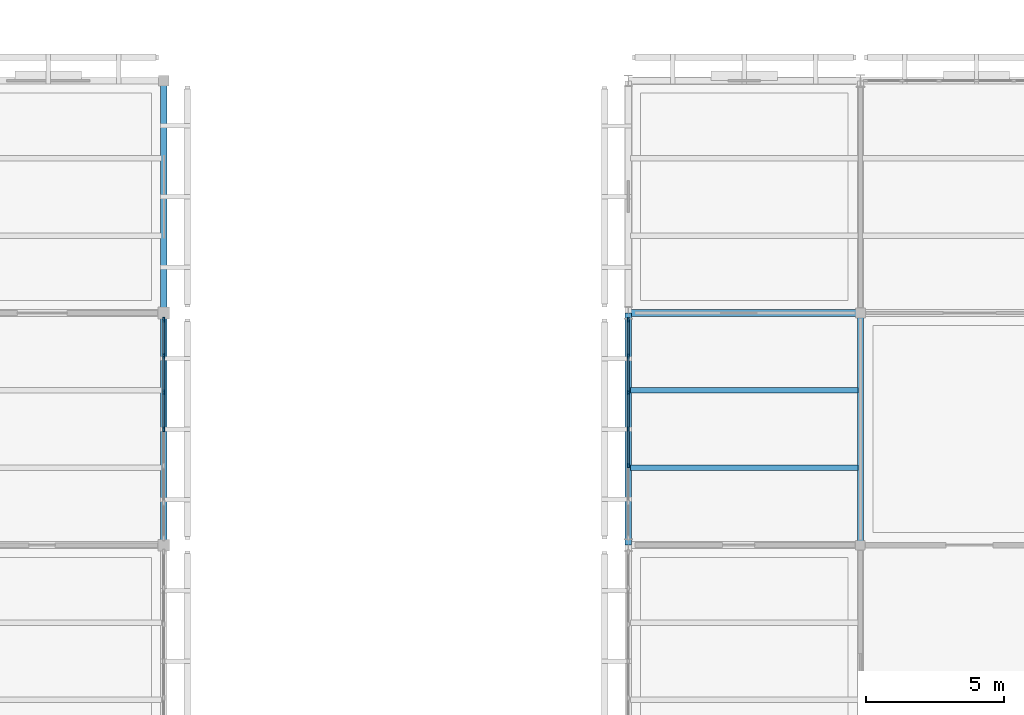
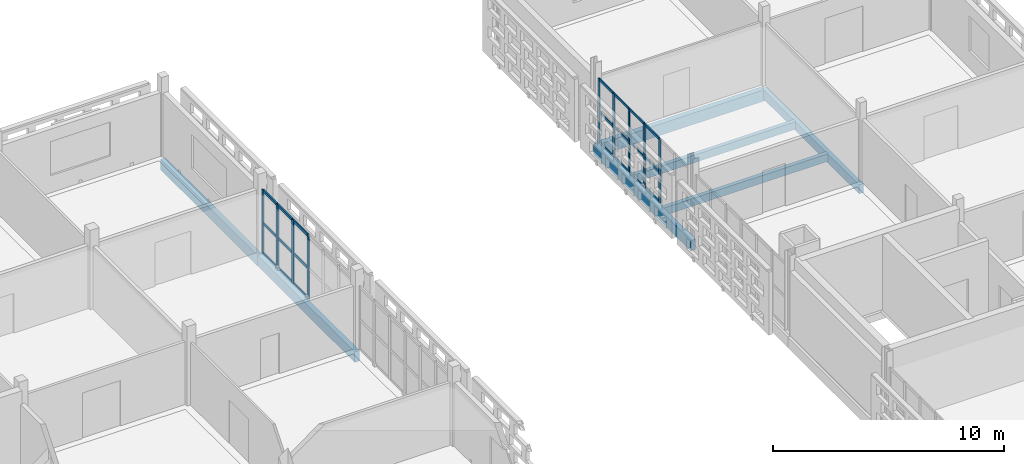
# One storey, part 50 of 140: 30 members, 7 beams, 2 elements without a shape of their own.
"""IFC4 building model written with IfcOpenShell, lengths in metres."""

from ifc_helpers import new_model, si_unit, direction, frame, origin, origin_2d, place, context, subcontext, project, spatial, rectangle, extrude, material, layer, layer_set, material_profile, profile_set, type_object, element, aggregate, save


model = new_model("IFC4")

# Units and contexts
model_context = context("Model", 3, precision=1e-05, world=origin(), true_north=direction((0.0, 1.0)))
body_context = subcontext(model_context, "Body", "Model", "MODEL_VIEW")
ifc_project = project(units=[si_unit("LENGTHUNIT", "METRE"), si_unit("AREAUNIT", "SQUARE_METRE"), si_unit("VOLUMEUNIT", "CUBIC_METRE"), si_unit("PLANEANGLEUNIT", "RADIAN"), si_unit("MASSUNIT", "GRAM", prefix="KILO")], contexts=[model_context])

# Site, building, storey
site_placement = place(None, origin())
site = spatial("IfcSite", under=ifc_project, at=site_placement, CompositionType="ELEMENT")
building_placement = place(site_placement, origin())
building = spatial("IfcBuilding", under=site, at=building_placement, Name="Varnapada Polytechnic", CompositionType="ELEMENT")
storey_placement = place(building_placement, frame((0.0, 0.0, 13.800048828125)))
storey = spatial("IfcBuildingStorey", under=building, at=storey_placement, Name="L03", CompositionType="ELEMENT", Elevation=13.800048828125)

# Beams
ifc_material_1 = material(Name="Glulam GL32h", Category="wood")
ifc_material_profile_1 = material_profile(ifc_material_1, rectangle(XDim=0.199951171875, YDim=0.39990234375, at=origin_2d()), Name="GL 200x400")
ifc_profile_set_1 = profile_set([ifc_material_profile_1], Name="Glulam GL32h")
beam_type_1 = type_object("IfcBeamType", Name="Library/laboratory glulam floor joist GJ-01 (GL 200x400)", PredefinedType="JOIST", material=ifc_profile_set_1)
for number, where, z_axis, x_axis, name in (
    (1, (50.47998046875, 112.0, -0.43994140625), (1.0, 0.0, 0.0), (0.0, 1.0, 0.0), "L03 floor joist 7/14.1"),
    (2, (50.47998046875, 114.800048828125, -0.43994140625), (1.0, 0.0, 0.0), (0.0, 1.0, 0.0), "L03 floor joist 7/14.2"),
):
    element("IfcBeam", number, at=place(storey_placement, frame(where, z_axis=z_axis, x_axis=x_axis)), inside=storey, type_object=beam_type_1, Name=name, PredefinedType="JOIST", context=body_context, shape_type="SweptSolid", body=[
        extrude(rectangle(XDim=0.199951171875, YDim=0.39990234375, at=origin_2d()), origin(), (0.0, 0.0, 1.0), 8.239990234375),
    ])

# Curtain wall, members
ifc_material_2 = material(Name="Double low-E laminated glass", Category="glass")
ifc_layer_1 = layer(ifc_material_2, 0.159912109375)
ifc_layer_set_1 = layer_set([ifc_layer_1], Name="Double low-E laminated glass")
curtain_wall_type_1 = type_object("IfcCurtainWallType", Name="Curtain Wall CW-02", PredefinedType="NOTDEFINED", material=ifc_layer_set_1)
curtain_wall_1_placement = place(storey_placement, origin())
curtain_wall_1 = element("IfcCurtainWall", 3, at=curtain_wall_1_placement, inside=storey, type_object=curtain_wall_type_1, Name="L03 unitised curtain wall CW-02 (228)", PredefinedType="NOTDEFINED")
ifc_material_3 = material(Name="Anodised aluminium", Category="aluminium")
ifc_material_profile_2 = material_profile(ifc_material_3, rectangle(XDim=0.06005859375, YDim=0.159912109375, at=origin_2d()), Name="ALU M60x160")
ifc_profile_set_2 = profile_set([ifc_material_profile_2], Name="Anodised aluminium")
member_type_1 = type_object("IfcMemberType", Name="Mullion M-01", PredefinedType="MULLION", material=ifc_profile_set_2)
member_1_placement = place(storey_placement, frame((50.39990234375, 112.074951171875, 0.0), z_axis=(0.0, 0.0, 1.0), x_axis=(-1.0, 0.0, 0.0)))
member_1 = element("IfcMember", 4, at=member_1_placement, type_object=member_type_1, Name="CW-02 mullion 3", PredefinedType="MULLION", context=body_context, shape_type="SweptSolid", body=[
    extrude(rectangle(XDim=0.06005859375, YDim=0.159912109375, at=origin_2d()), origin(), (0.0, 0.0, 1.0), 3.35986328125),
])
member_2_placement = place(storey_placement, frame((50.39990234375, 113.39990234375, 0.0), z_axis=(0.0, 0.0, 1.0), x_axis=(-1.0, 0.0, 0.0)))
member_2 = element("IfcMember", 5, at=member_2_placement, type_object=member_type_1, Name="CW-02 mullion 4", PredefinedType="MULLION", context=body_context, shape_type="SweptSolid", body=[
    extrude(rectangle(XDim=0.06005859375, YDim=0.159912109375, at=origin_2d()), origin(), (0.0, 0.0, 1.0), 3.35986328125),
])
member_3_placement = place(storey_placement, frame((50.39990234375, 114.72509765625, 0.0), z_axis=(0.0, 0.0, 1.0), x_axis=(-1.0, 0.0, 0.0)))
member_3 = element("IfcMember", 6, at=member_3_placement, type_object=member_type_1, Name="CW-02 mullion 5", PredefinedType="MULLION", context=body_context, shape_type="SweptSolid", body=[
    extrude(rectangle(XDim=0.06005859375, YDim=0.159912109375, at=origin_2d()), origin(), (0.0, 0.0, 1.0), 3.35986328125),
])
member_4_placement = place(storey_placement, frame((50.39990234375, 116.050048828125, 0.0), z_axis=(0.0, 0.0, 1.0), x_axis=(-1.0, 0.0, 0.0)))
member_4 = element("IfcMember", 7, at=member_4_placement, type_object=member_type_1, Name="CW-02 mullion 6", PredefinedType="MULLION", context=body_context, shape_type="SweptSolid", body=[
    extrude(rectangle(XDim=0.06005859375, YDim=0.159912109375, at=origin_2d()), origin(), (0.0, 0.0, 1.0), 3.35986328125),
])
member_5_placement = place(storey_placement, frame((50.39990234375, 117.344970703125, 0.0), z_axis=(0.0, 0.0, 1.0), x_axis=(-1.0, 0.0, 0.0)))
member_5 = element("IfcMember", 8, at=member_5_placement, type_object=member_type_1, Name="CW-02 mullion 7", PredefinedType="MULLION", context=body_context, shape_type="SweptSolid", body=[
    extrude(rectangle(XDim=0.06005859375, YDim=0.159912109375, at=origin_2d()), origin(), (0.0, 0.0, 1.0), 3.35986328125),
])

ifc_layer_2 = layer(ifc_material_2, 0.179931640625)
ifc_layer_set_2 = layer_set([ifc_layer_2], Name="Double low-E laminated glass")
curtain_wall_type_2 = type_object("IfcCurtainWallType", Name="Curtain Wall CW-03", PredefinedType="NOTDEFINED", material=ifc_layer_set_2)
curtain_wall_2_placement = place(storey_placement, origin())
curtain_wall_2 = element("IfcCurtainWall", 9, at=curtain_wall_2_placement, inside=storey, type_object=curtain_wall_type_2, Name="L03 unitised curtain wall CW-03 (222)", PredefinedType="NOTDEFINED")
ifc_material_profile_3 = material_profile(ifc_material_3, rectangle(XDim=0.06494140625, YDim=0.179931640625, at=origin_2d()), Name="ALU M65x180")
ifc_profile_set_3 = profile_set([ifc_material_profile_3], Name="Anodised aluminium")
member_type_2 = type_object("IfcMemberType", Name="Mullion M-02", PredefinedType="MULLION", material=ifc_profile_set_3)
member_6_placement = place(storey_placement, frame((33.60009765625, 117.357421875, 0.0), z_axis=(0.0, 0.0, 1.0), x_axis=(1.0, 0.0, 0.0)))
member_6 = element("IfcMember", 10, at=member_6_placement, type_object=member_type_2, Name="CW-03 mullion 1", PredefinedType="MULLION", context=body_context, shape_type="SweptSolid", body=[
    extrude(rectangle(XDim=0.06494140625, YDim=0.179931640625, at=origin_2d()), origin(), (0.0, 0.0, 1.0), 3.35986328125),
])
member_7_placement = place(storey_placement, frame((33.60009765625, 116.06005859375, 0.0), z_axis=(0.0, 0.0, 1.0), x_axis=(1.0, 0.0, 0.0)))
member_7 = element("IfcMember", 11, at=member_7_placement, type_object=member_type_2, Name="CW-03 mullion 2", PredefinedType="MULLION", context=body_context, shape_type="SweptSolid", body=[
    extrude(rectangle(XDim=0.06494140625, YDim=0.179931640625, at=origin_2d()), origin(), (0.0, 0.0, 1.0), 3.35986328125),
])
member_8_placement = place(storey_placement, frame((33.60009765625, 114.72998046875, 0.0), z_axis=(0.0, 0.0, 1.0), x_axis=(1.0, 0.0, 0.0)))
member_8 = element("IfcMember", 12, at=member_8_placement, type_object=member_type_2, Name="CW-03 mullion 3", PredefinedType="MULLION", context=body_context, shape_type="SweptSolid", body=[
    extrude(rectangle(XDim=0.06494140625, YDim=0.179931640625, at=origin_2d()), origin(), (0.0, 0.0, 1.0), 3.35986328125),
])
member_9_placement = place(storey_placement, frame((33.60009765625, 113.39990234375, 0.0), z_axis=(0.0, 0.0, 1.0), x_axis=(1.0, 0.0, 0.0)))
member_9 = element("IfcMember", 13, at=member_9_placement, type_object=member_type_2, Name="CW-03 mullion 4", PredefinedType="MULLION", context=body_context, shape_type="SweptSolid", body=[
    extrude(rectangle(XDim=0.06494140625, YDim=0.179931640625, at=origin_2d()), origin(), (0.0, 0.0, 1.0), 3.35986328125),
])

# Beams
ifc_material_profile_4 = material_profile(ifc_material_1, rectangle(XDim=0.239990234375, YDim=0.56005859375, at=origin_2d()), Name="GL 240x560")
ifc_profile_set_4 = profile_set([ifc_material_profile_4], Name="Glulam GL32h")
beam_type_2 = type_object("IfcBeamType", Name="Perimeter glulam spandrel beam SP-02 (GL 240x560)", PredefinedType="SPANDREL", material=ifc_profile_set_4)
beam_1_placement = place(storey_placement, frame((33.60009765625, 109.199951171875, -0.52001953125), z_axis=(0.0, 1.0, 0.0), x_axis=(-1.0, 0.0, 0.0)))
element("IfcBeam", 14, at=beam_1_placement, inside=storey, type_object=beam_type_2, Name="L03 beam Y 14-15 at X5", PredefinedType="SPANDREL", context=body_context, shape_type="SweptSolid", body=[
    extrude(rectangle(XDim=0.239990234375, YDim=0.56005859375, at=origin_2d()), origin(), (0.0, 0.0, 1.0), 8.400146484375),
])
beam_2_placement = place(storey_placement, frame((33.60009765625, 117.60009765625, -0.52001953125), z_axis=(0.0, 1.0, 0.0), x_axis=(-1.0, 0.0, 0.0)))
element("IfcBeam", 15, at=beam_2_placement, inside=storey, type_object=beam_type_2, Name="L03 beam Y 15-16 at X5", PredefinedType="SPANDREL", context=body_context, shape_type="SweptSolid", body=[
    extrude(rectangle(XDim=0.239990234375, YDim=0.56005859375, at=origin_2d()), origin(), (0.0, 0.0, 1.0), 8.39990234375),
])
beam_3_placement = place(storey_placement, frame((50.39990234375, 109.199951171875, -0.52001953125), z_axis=(0.0, 1.0, 0.0), x_axis=(-1.0, 0.0, 0.0)))
element("IfcBeam", 16, at=beam_3_placement, inside=storey, type_object=beam_type_2, Name="L03 beam Y 14-15 at X7", PredefinedType="SPANDREL", context=body_context, shape_type="SweptSolid", body=[
    extrude(rectangle(XDim=0.239990234375, YDim=0.56005859375, at=origin_2d()), origin(), (0.0, 0.0, 1.0), 8.400146484375),
])
ifc_material_profile_5 = material_profile(ifc_material_1, rectangle(XDim=0.260009765625, YDim=0.60009765625, at=origin_2d()), Name="GL 260x600")
ifc_profile_set_5 = profile_set([ifc_material_profile_5], Name="Glulam GL32h")
beam_type_3 = type_object("IfcBeamType", Name="Seminar wing glulam girder GG-05 (GL 260x600)", PredefinedType="BEAM", material=ifc_profile_set_5)
beam_4_placement = place(storey_placement, frame((50.39990234375, 117.60009765625, -0.5400390625), z_axis=(1.0, 0.0, 0.0), x_axis=(0.0, 1.0, 0.0)))
element("IfcBeam", 17, at=beam_4_placement, inside=storey, type_object=beam_type_3, Name="L03 beam X 7-8 at Y15", PredefinedType="BEAM", context=body_context, shape_type="SweptSolid", body=[
    extrude(rectangle(XDim=0.260009765625, YDim=0.60009765625, at=origin_2d()), origin(), (0.0, 0.0, 1.0), 8.400146484375),
])

# Member
ifc_material_profile_6 = material_profile(ifc_material_3, rectangle(XDim=0.06005859375, YDim=0.1201171875, at=origin_2d()), Name="ALU T60x120")
ifc_profile_set_6 = profile_set([ifc_material_profile_6], Name="Anodised aluminium")
member_type_3 = type_object("IfcMemberType", Name="Transom T-01", PredefinedType="USERDEFINED", material=ifc_profile_set_6)
member_10_placement = place(storey_placement, frame((50.39990234375, 112.10498046875, 0.030029296875), z_axis=(0.0, 1.0, 0.0), x_axis=(-1.0, 0.0, 0.0)))
member_10 = element("IfcMember", 18, at=member_10_placement, type_object=member_type_3, Name="CW-02 transom 3.1", ObjectType="TRANSOM", PredefinedType="USERDEFINED", context=body_context, shape_type="SweptSolid", body=[
    extrude(rectangle(XDim=0.06005859375, YDim=0.1201171875, at=origin_2d()), origin(), (0.0, 0.0, 1.0), 1.26513671875),
])

member_11_placement = place(storey_placement, frame((50.39990234375, 112.10498046875, 1.61279296875), z_axis=(0.0, 1.0, 0.0), x_axis=(-1.0, 0.0, 0.0)))
member_11 = element("IfcMember", 19, at=member_11_placement, type_object=member_type_3, Name="CW-02 transom 3.2", ObjectType="TRANSOM", PredefinedType="USERDEFINED", context=body_context, shape_type="SweptSolid", body=[
    extrude(rectangle(XDim=0.06005859375, YDim=0.1201171875, at=origin_2d()), origin(), (0.0, 0.0, 1.0), 1.26513671875),
])

member_12_placement = place(storey_placement, frame((50.39990234375, 112.10498046875, 3.329833984375), z_axis=(0.0, 1.0, 0.0), x_axis=(-1.0, 0.0, 0.0)))
member_12 = element("IfcMember", 20, at=member_12_placement, type_object=member_type_3, Name="CW-02 transom 3.3", ObjectType="TRANSOM", PredefinedType="USERDEFINED", context=body_context, shape_type="SweptSolid", body=[
    extrude(rectangle(XDim=0.06005859375, YDim=0.1201171875, at=origin_2d()), origin(), (0.0, 0.0, 1.0), 1.26513671875),
])

member_13_placement = place(storey_placement, frame((50.39990234375, 113.429931640625, 0.030029296875), z_axis=(0.0, 1.0, 0.0), x_axis=(-1.0, 0.0, 0.0)))
member_13 = element("IfcMember", 21, at=member_13_placement, type_object=member_type_3, Name="CW-02 transom 4.1", ObjectType="TRANSOM", PredefinedType="USERDEFINED", context=body_context, shape_type="SweptSolid", body=[
    extrude(rectangle(XDim=0.06005859375, YDim=0.1201171875, at=origin_2d()), origin(), (0.0, 0.0, 1.0), 1.26513671875),
])

member_14_placement = place(storey_placement, frame((50.39990234375, 113.429931640625, 1.61279296875), z_axis=(0.0, 1.0, 0.0), x_axis=(-1.0, 0.0, 0.0)))
member_14 = element("IfcMember", 22, at=member_14_placement, type_object=member_type_3, Name="CW-02 transom 4.2", ObjectType="TRANSOM", PredefinedType="USERDEFINED", context=body_context, shape_type="SweptSolid", body=[
    extrude(rectangle(XDim=0.06005859375, YDim=0.1201171875, at=origin_2d()), origin(), (0.0, 0.0, 1.0), 1.26513671875),
])

member_15_placement = place(storey_placement, frame((50.39990234375, 113.429931640625, 3.329833984375), z_axis=(0.0, 1.0, 0.0), x_axis=(-1.0, 0.0, 0.0)))
member_15 = element("IfcMember", 23, at=member_15_placement, type_object=member_type_3, Name="CW-02 transom 4.3", ObjectType="TRANSOM", PredefinedType="USERDEFINED", context=body_context, shape_type="SweptSolid", body=[
    extrude(rectangle(XDim=0.06005859375, YDim=0.1201171875, at=origin_2d()), origin(), (0.0, 0.0, 1.0), 1.26513671875),
])

member_16_placement = place(storey_placement, frame((50.39990234375, 114.7548828125, 0.030029296875), z_axis=(0.0, 1.0, 0.0), x_axis=(-1.0, 0.0, 0.0)))
member_16 = element("IfcMember", 24, at=member_16_placement, type_object=member_type_3, Name="CW-02 transom 5.1", ObjectType="TRANSOM", PredefinedType="USERDEFINED", context=body_context, shape_type="SweptSolid", body=[
    extrude(rectangle(XDim=0.06005859375, YDim=0.1201171875, at=origin_2d()), origin(), (0.0, 0.0, 1.0), 1.26513671875),
])

member_17_placement = place(storey_placement, frame((50.39990234375, 114.7548828125, 1.61279296875), z_axis=(0.0, 1.0, 0.0), x_axis=(-1.0, 0.0, 0.0)))
member_17 = element("IfcMember", 25, at=member_17_placement, type_object=member_type_3, Name="CW-02 transom 5.2", ObjectType="TRANSOM", PredefinedType="USERDEFINED", context=body_context, shape_type="SweptSolid", body=[
    extrude(rectangle(XDim=0.06005859375, YDim=0.1201171875, at=origin_2d()), origin(), (0.0, 0.0, 1.0), 1.26513671875),
])

member_18_placement = place(storey_placement, frame((50.39990234375, 114.7548828125, 3.329833984375), z_axis=(0.0, 1.0, 0.0), x_axis=(-1.0, 0.0, 0.0)))
member_18 = element("IfcMember", 26, at=member_18_placement, type_object=member_type_3, Name="CW-02 transom 5.3", ObjectType="TRANSOM", PredefinedType="USERDEFINED", context=body_context, shape_type="SweptSolid", body=[
    extrude(rectangle(XDim=0.06005859375, YDim=0.1201171875, at=origin_2d()), origin(), (0.0, 0.0, 1.0), 1.26513671875),
])

member_19_placement = place(storey_placement, frame((50.39990234375, 116.080078125, 0.030029296875), z_axis=(0.0, 1.0, 0.0), x_axis=(-1.0, 0.0, 0.0)))
member_19 = element("IfcMember", 27, at=member_19_placement, type_object=member_type_3, Name="CW-02 transom 6.1", ObjectType="TRANSOM", PredefinedType="USERDEFINED", context=body_context, shape_type="SweptSolid", body=[
    extrude(rectangle(XDim=0.06005859375, YDim=0.1201171875, at=origin_2d()), origin(), (0.0, 0.0, 1.0), 1.23486328125),
])

member_20_placement = place(storey_placement, frame((50.39990234375, 116.080078125, 1.61279296875), z_axis=(0.0, 1.0, 0.0), x_axis=(-1.0, 0.0, 0.0)))
member_20 = element("IfcMember", 28, at=member_20_placement, type_object=member_type_3, Name="CW-02 transom 6.2", ObjectType="TRANSOM", PredefinedType="USERDEFINED", context=body_context, shape_type="SweptSolid", body=[
    extrude(rectangle(XDim=0.06005859375, YDim=0.1201171875, at=origin_2d()), origin(), (0.0, 0.0, 1.0), 1.23486328125),
])

member_21_placement = place(storey_placement, frame((50.39990234375, 116.080078125, 3.329833984375), z_axis=(0.0, 1.0, 0.0), x_axis=(-1.0, 0.0, 0.0)))
member_21 = element("IfcMember", 29, at=member_21_placement, type_object=member_type_3, Name="CW-02 transom 6.3", ObjectType="TRANSOM", PredefinedType="USERDEFINED", context=body_context, shape_type="SweptSolid", body=[
    extrude(rectangle(XDim=0.06005859375, YDim=0.1201171875, at=origin_2d()), origin(), (0.0, 0.0, 1.0), 1.23486328125),
])

aggregate(curtain_wall_1, [member_1, member_2, member_3, member_4, member_5, member_10, member_11, member_12, member_13, member_14, member_15, member_16, member_17, member_18, member_19, member_20, member_21])

ifc_material_profile_7 = material_profile(ifc_material_3, rectangle(XDim=0.06494140625, YDim=0.139892578125, at=origin_2d()), Name="ALU T65x140")
ifc_profile_set_7 = profile_set([ifc_material_profile_7], Name="Anodised aluminium")
member_type_4 = type_object("IfcMemberType", Name="Transom T-02", PredefinedType="USERDEFINED", material=ifc_profile_set_7)
member_22_placement = place(storey_placement, frame((33.60009765625, 117.324951171875, 0.032470703125), z_axis=(0.0, -1.0, 0.0), x_axis=(1.0, 0.0, 0.0)))
member_22 = element("IfcMember", 30, at=member_22_placement, type_object=member_type_4, Name="CW-03 transom 1.1", ObjectType="TRANSOM", PredefinedType="USERDEFINED", context=body_context, shape_type="SweptSolid", body=[
    extrude(rectangle(XDim=0.06494140625, YDim=0.139892578125, at=origin_2d()), origin(), (0.0, 0.0, 1.0), 1.232421875),
])

member_23_placement = place(storey_placement, frame((33.60009765625, 117.324951171875, 1.61279296875), z_axis=(0.0, -1.0, 0.0), x_axis=(1.0, 0.0, 0.0)))
member_23 = element("IfcMember", 31, at=member_23_placement, type_object=member_type_4, Name="CW-03 transom 1.2", ObjectType="TRANSOM", PredefinedType="USERDEFINED", context=body_context, shape_type="SweptSolid", body=[
    extrude(rectangle(XDim=0.06494140625, YDim=0.139892578125, at=origin_2d()), origin(), (0.0, 0.0, 1.0), 1.232421875),
])

member_24_placement = place(storey_placement, frame((33.60009765625, 117.324951171875, 3.327392578125), z_axis=(0.0, -1.0, 0.0), x_axis=(1.0, 0.0, 0.0)))
member_24 = element("IfcMember", 32, at=member_24_placement, type_object=member_type_4, Name="CW-03 transom 1.3", ObjectType="TRANSOM", PredefinedType="USERDEFINED", context=body_context, shape_type="SweptSolid", body=[
    extrude(rectangle(XDim=0.06494140625, YDim=0.139892578125, at=origin_2d()), origin(), (0.0, 0.0, 1.0), 1.232421875),
])

member_25_placement = place(storey_placement, frame((33.60009765625, 116.027587890625, 0.032470703125), z_axis=(0.0, -1.0, 0.0), x_axis=(1.0, 0.0, 0.0)))
member_25 = element("IfcMember", 33, at=member_25_placement, type_object=member_type_4, Name="CW-03 transom 2.1", ObjectType="TRANSOM", PredefinedType="USERDEFINED", context=body_context, shape_type="SweptSolid", body=[
    extrude(rectangle(XDim=0.06494140625, YDim=0.139892578125, at=origin_2d()), origin(), (0.0, 0.0, 1.0), 1.26513671875),
])

member_26_placement = place(storey_placement, frame((33.60009765625, 116.027587890625, 1.61279296875), z_axis=(0.0, -1.0, 0.0), x_axis=(1.0, 0.0, 0.0)))
member_26 = element("IfcMember", 34, at=member_26_placement, type_object=member_type_4, Name="CW-03 transom 2.2", ObjectType="TRANSOM", PredefinedType="USERDEFINED", context=body_context, shape_type="SweptSolid", body=[
    extrude(rectangle(XDim=0.06494140625, YDim=0.139892578125, at=origin_2d()), origin(), (0.0, 0.0, 1.0), 1.26513671875),
])

member_27_placement = place(storey_placement, frame((33.60009765625, 116.027587890625, 3.327392578125), z_axis=(0.0, -1.0, 0.0), x_axis=(1.0, 0.0, 0.0)))
member_27 = element("IfcMember", 35, at=member_27_placement, type_object=member_type_4, Name="CW-03 transom 2.3", ObjectType="TRANSOM", PredefinedType="USERDEFINED", context=body_context, shape_type="SweptSolid", body=[
    extrude(rectangle(XDim=0.06494140625, YDim=0.139892578125, at=origin_2d()), origin(), (0.0, 0.0, 1.0), 1.26513671875),
])

member_28_placement = place(storey_placement, frame((33.60009765625, 114.697509765625, 0.032470703125), z_axis=(0.0, -1.0, 0.0), x_axis=(1.0, 0.0, 0.0)))
member_28 = element("IfcMember", 36, at=member_28_placement, type_object=member_type_4, Name="CW-03 transom 3.1", ObjectType="TRANSOM", PredefinedType="USERDEFINED", context=body_context, shape_type="SweptSolid", body=[
    extrude(rectangle(XDim=0.06494140625, YDim=0.139892578125, at=origin_2d()), origin(), (0.0, 0.0, 1.0), 1.264892578125),
])

member_29_placement = place(storey_placement, frame((33.60009765625, 114.697509765625, 1.61279296875), z_axis=(0.0, -1.0, 0.0), x_axis=(1.0, 0.0, 0.0)))
member_29 = element("IfcMember", 37, at=member_29_placement, type_object=member_type_4, Name="CW-03 transom 3.2", ObjectType="TRANSOM", PredefinedType="USERDEFINED", context=body_context, shape_type="SweptSolid", body=[
    extrude(rectangle(XDim=0.06494140625, YDim=0.139892578125, at=origin_2d()), origin(), (0.0, 0.0, 1.0), 1.264892578125),
])

member_30_placement = place(storey_placement, frame((33.60009765625, 114.697509765625, 3.327392578125), z_axis=(0.0, -1.0, 0.0), x_axis=(1.0, 0.0, 0.0)))
member_30 = element("IfcMember", 38, at=member_30_placement, type_object=member_type_4, Name="CW-03 transom 3.3", ObjectType="TRANSOM", PredefinedType="USERDEFINED", context=body_context, shape_type="SweptSolid", body=[
    extrude(rectangle(XDim=0.06494140625, YDim=0.139892578125, at=origin_2d()), origin(), (0.0, 0.0, 1.0), 1.264892578125),
])

aggregate(curtain_wall_2, [member_6, member_7, member_8, member_9, member_22, member_23, member_24, member_25, member_26, member_27, member_28, member_29, member_30])

# Beam
ifc_material_profile_8 = material_profile(ifc_material_1, rectangle(XDim=0.219970703125, YDim=0.47998046875, at=origin_2d()), Name="GL 220x480")
ifc_profile_set_8 = profile_set([ifc_material_profile_8], Name="Glulam GL32h")
beam_type_4 = type_object("IfcBeamType", Name="Upper floor glulam tie beam GB-11 (GL 220x480)", PredefinedType="BEAM", material=ifc_profile_set_8)
beam_5_placement = place(storey_placement, frame((58.800048828125, 109.199951171875, -0.47998046875), z_axis=(0.0, 1.0, 0.0), x_axis=(-1.0, 0.0, 0.0)))
element("IfcBeam", 39, at=beam_5_placement, inside=storey, type_object=beam_type_4, Name="L03 beam Y 14-15 at X8", PredefinedType="BEAM", context=body_context, shape_type="SweptSolid", body=[
    extrude(rectangle(XDim=0.219970703125, YDim=0.47998046875, at=origin_2d()), origin(), (0.0, 0.0, 1.0), 8.400146484375),
])

save(model, "model.ifc")
